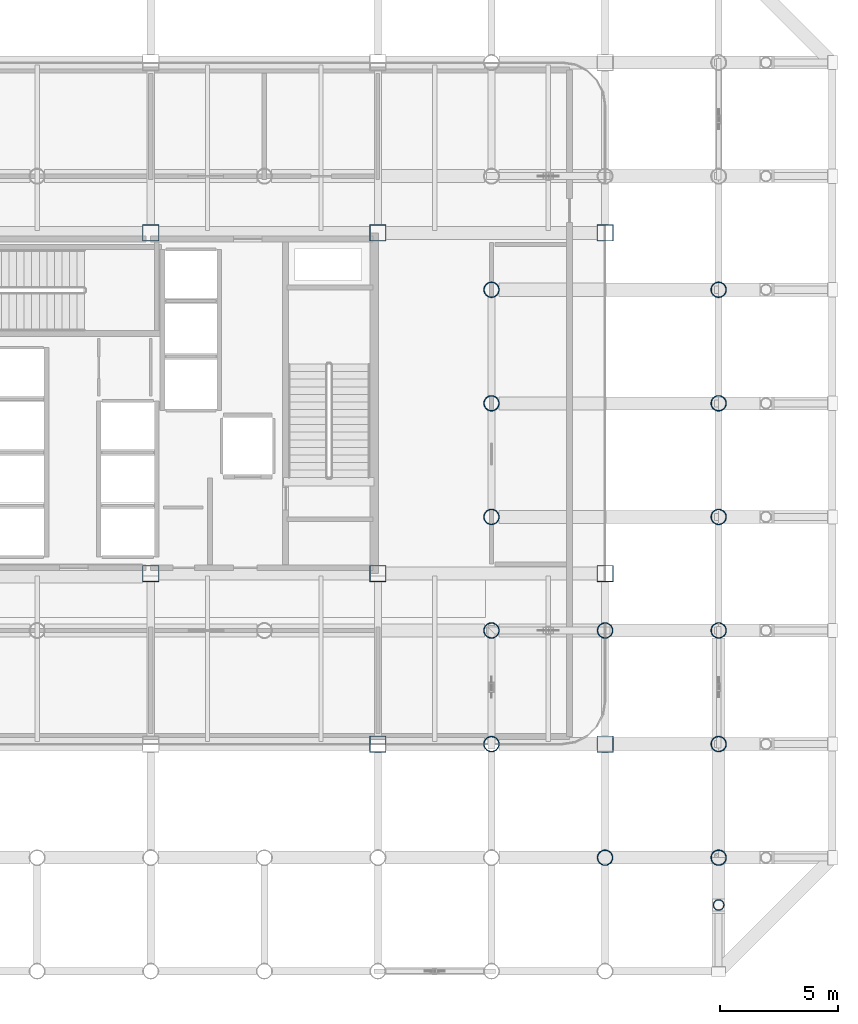
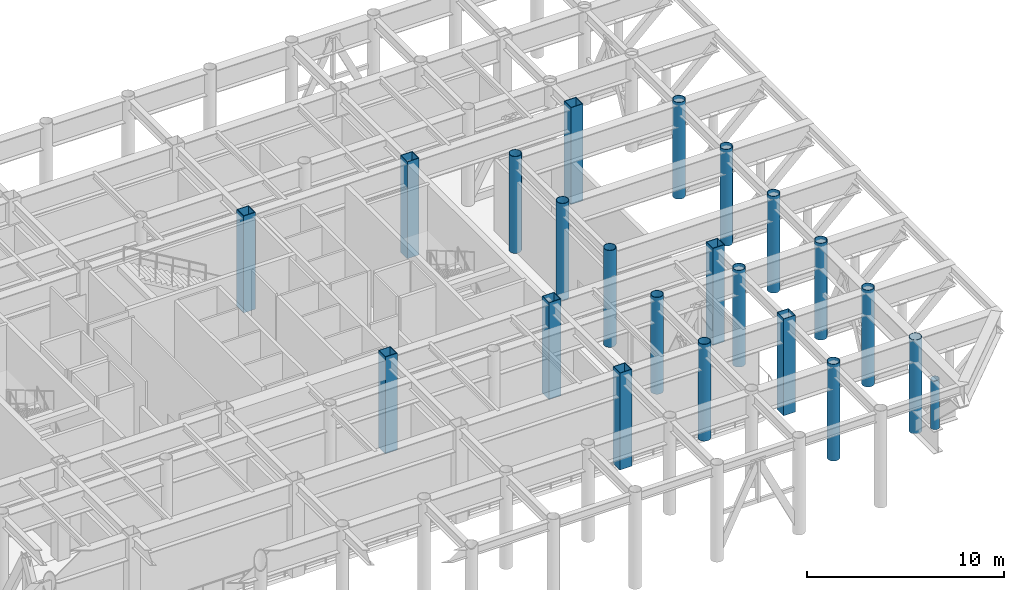
# One storey, part 2 of 20: 22 columns.
"""IFC4 building model written with IfcOpenShell, lengths in metres."""

from ifc_helpers import new_model, si_unit, direction, frame, origin, origin_2d, place, context, subcontext, project, spatial, hollow_rectangle, hollow_circle, extrude, material, material_profile, profile_set, type_object, element, save


model = new_model("IFC4")

# Units and contexts
model_context = context("Model", 3, precision=1e-05, world=origin(), true_north=direction((0.0, 1.0)))
body_context = subcontext(model_context, "Body", "Model", "MODEL_VIEW")
ifc_project = project(units=[si_unit("LENGTHUNIT", "METRE"), si_unit("AREAUNIT", "SQUARE_METRE"), si_unit("VOLUMEUNIT", "CUBIC_METRE"), si_unit("PLANEANGLEUNIT", "RADIAN"), si_unit("MASSUNIT", "GRAM", prefix="KILO")], contexts=[model_context])

# Site, building, storey
site_placement = place(None, origin())
site = spatial("IfcSite", under=ifc_project, at=site_placement, CompositionType="ELEMENT")
building_placement = place(site_placement, origin())
building = spatial("IfcBuilding", under=site, at=building_placement, Name="Kallvorn Hotel Tower", CompositionType="ELEMENT")
storey_placement = place(building_placement, frame((0.0, 0.0, 185.5)))
storey = spatial("IfcBuildingStorey", under=building, at=storey_placement, Name="L46", CompositionType="ELEMENT", Elevation=185.5)

# Columns
ifc_material_1 = material(Name="Structural steel S355J2H", Category="steel")
ifc_material_profile_1 = material_profile(ifc_material_1, hollow_circle(Radius=0.228515625, WallThickness=0.02001953125, at=origin_2d()), Name="CHS 457x20")
ifc_profile_set_1 = profile_set([ifc_material_profile_1], Name="Structural steel S355J2H")
column_type_1 = type_object("IfcColumnType", Name="COL_CHS_457", PredefinedType="COLUMN", material=ifc_profile_set_1)
column_1_placement = place(storey_placement, frame((28.800048828125, -21.199951171875, 1.39990234375), z_axis=(0.0, 0.0, 1.0), x_axis=(1.0, 0.0, 0.0)))
element("IfcColumn", 1, at=column_1_placement, inside=storey, type_object=column_type_1, Name="L47 Cantilever Haunch Prop Column 01", PredefinedType="COLUMN", context=body_context, shape_type="SweptSolid", body=[
    extrude(hollow_circle(Radius=0.228515625, WallThickness=0.02001953125, at=origin_2d()), origin(), (0.0, 0.0, 1.0), 3.0400390625),
])
ifc_material_2 = material(Name="Structural steel S355J2H", Category="steel")
ifc_material_profile_2 = material_profile(ifc_material_2, hollow_circle(Radius=0.330078125, WallThickness=0.028076171875, at=origin_2d()), Name="CHS 660x28")
ifc_profile_set_2 = profile_set([ifc_material_profile_2], Name="Structural steel S355J2H")
column_type_2 = type_object("IfcColumnType", Name="COL_CHS_660", PredefinedType="COLUMN", material=ifc_profile_set_2)
for number, where, z_axis, x_axis, name in (
    (2, (19.199951171875, -14.39990234375, 0.0), (0.0, 0.0, 1.0), (1.0, 0.0, 0.0), "L46 Exoskeleton Column EC63"),
    (3, (19.199951171875, -9.60009765625, 0.0), (0.0, 0.0, 1.0), (1.0, 0.0, 0.0), "L46 Exoskeleton Column EC64"),
    (4, (19.199951171875, -4.800048828125, 0.0), (0.0, 0.0, 1.0), (1.0, 0.0, 0.0), "L46 Exoskeleton Column EC65"),
    (5, (19.199951171875, 0.0, 0.0), (0.0, 0.0, 1.0), (1.0, 0.0, 0.0), "L46 Exoskeleton Column EC66"),
    (6, (19.199951171875, 4.800048828125, 0.0), (0.0, 0.0, 1.0), (1.0, 0.0, 0.0), "L46 Exoskeleton Column EC67"),
    (7, (24.0, -19.199951171875, 0.0), (0.0, 0.0, 1.0), (1.0, 0.0, 0.0), "L46 Exoskeleton Column EC72"),
    (8, (24.0, -9.60009765625, 0.0), (0.0, 0.0, 1.0), (1.0, 0.0, 0.0), "L46 Exoskeleton Column EC73"),
):
    element("IfcColumn", number, at=place(storey_placement, frame(where, z_axis=z_axis, x_axis=x_axis)), inside=storey, type_object=column_type_2, Name=name, PredefinedType="COLUMN", context=body_context, shape_type="SweptSolid", body=[
        extrude(hollow_circle(Radius=0.330078125, WallThickness=0.028076171875, at=origin_2d()), origin(), (0.0, 0.0, 1.0), 6.0),
    ])
column_2_placement = place(storey_placement, frame((28.800048828125, -19.199951171875, 0.0), z_axis=(0.0, 0.0, 1.0), x_axis=(1.0, 0.0, 0.0)))
element("IfcColumn", 9, at=column_2_placement, inside=storey, type_object=column_type_2, Name="L46 Exoskeleton Column EC76", PredefinedType="COLUMN", context=body_context, shape_type="SweptSolid", body=[
    extrude(hollow_circle(Radius=0.330078125, WallThickness=0.028076171875, at=origin_2d()), origin(), (0.0, 0.0, 1.0), 5.820068359375),
])
for number, where, z_axis, x_axis, name in (
    (10, (28.800048828125, -14.39990234375, 0.0), (0.0, 0.0, 1.0), (1.0, 0.0, 0.0), "L46 Exoskeleton Column EC77"),
    (11, (28.800048828125, -9.60009765625, 0.0), (0.0, 0.0, 1.0), (1.0, 0.0, 0.0), "L46 Exoskeleton Column EC78"),
    (12, (28.800048828125, -4.800048828125, 0.0), (0.0, 0.0, 1.0), (1.0, 0.0, 0.0), "L46 Exoskeleton Column EC79"),
    (13, (28.800048828125, 0.0, 0.0), (0.0, 0.0, 1.0), (1.0, 0.0, 0.0), "L46 Exoskeleton Column EC80"),
    (14, (28.800048828125, 4.800048828125, 0.0), (0.0, 0.0, 1.0), (1.0, 0.0, 0.0), "L46 Exoskeleton Column EC81"),
):
    element("IfcColumn", number, at=place(storey_placement, frame(where, z_axis=z_axis, x_axis=x_axis)), inside=storey, type_object=column_type_2, Name=name, PredefinedType="COLUMN", context=body_context, shape_type="SweptSolid", body=[
        extrude(hollow_circle(Radius=0.330078125, WallThickness=0.028076171875, at=origin_2d()), origin(), (0.0, 0.0, 1.0), 6.0),
    ])
ifc_material_3 = material(Name="Structural steel S355J2H", Category="steel")
ifc_material_profile_3 = material_profile(ifc_material_3, hollow_rectangle(XDim=0.699951171875, YDim=0.699951171875, WallThickness=0.031982421875, at=origin_2d()), Name="RHS 700x700x32")
ifc_profile_set_3 = profile_set([ifc_material_profile_3], Name="Structural steel S355J2H")
column_type_3 = type_object("IfcColumnType", Name="COL_RHS_700", PredefinedType="COLUMN", material=ifc_profile_set_3)
for number, where, z_axis, x_axis, name in (
    (15, (4.800048828125, -7.199951171875, 0.0), (0.0, 0.0, 1.0), (1.0, 0.0, 0.0), "L46 Inner Column IC14"),
    (16, (4.800048828125, 7.199951171875, 0.0), (0.0, 0.0, 1.0), (1.0, 0.0, 0.0), "L46 Inner Column IC15"),
    (17, (14.39990234375, -14.39990234375, 0.0), (0.0, 0.0, 1.0), (1.0, 0.0, 0.0), "L46 Inner Column IC17"),
    (18, (14.39990234375, -7.199951171875, 0.0), (0.0, 0.0, 1.0), (1.0, 0.0, 0.0), "L46 Inner Column IC18"),
    (19, (14.39990234375, 7.199951171875, 0.0), (0.0, 0.0, 1.0), (1.0, 0.0, 0.0), "L46 Inner Column IC19"),
    (20, (24.0, -14.39990234375, 0.0), (0.0, 0.0, 1.0), (1.0, 0.0, 0.0), "L46 Inner Column IC21"),
    (21, (24.0, -7.199951171875, 0.0), (0.0, 0.0, 1.0), (1.0, 0.0, 0.0), "L46 Inner Column IC22"),
    (22, (24.0, 7.199951171875, 0.0), (0.0, 0.0, 1.0), (1.0, 0.0, 0.0), "L46 Inner Column IC23"),
):
    element("IfcColumn", number, at=place(storey_placement, frame(where, z_axis=z_axis, x_axis=x_axis)), inside=storey, type_object=column_type_3, Name=name, PredefinedType="COLUMN", context=body_context, shape_type="SweptSolid", body=[
        extrude(hollow_rectangle(XDim=0.699951171875, YDim=0.699951171875, WallThickness=0.031982421875, at=origin_2d()), origin(), (0.0, 0.0, 1.0), 6.0),
    ])

save(model, "model.ifc")
